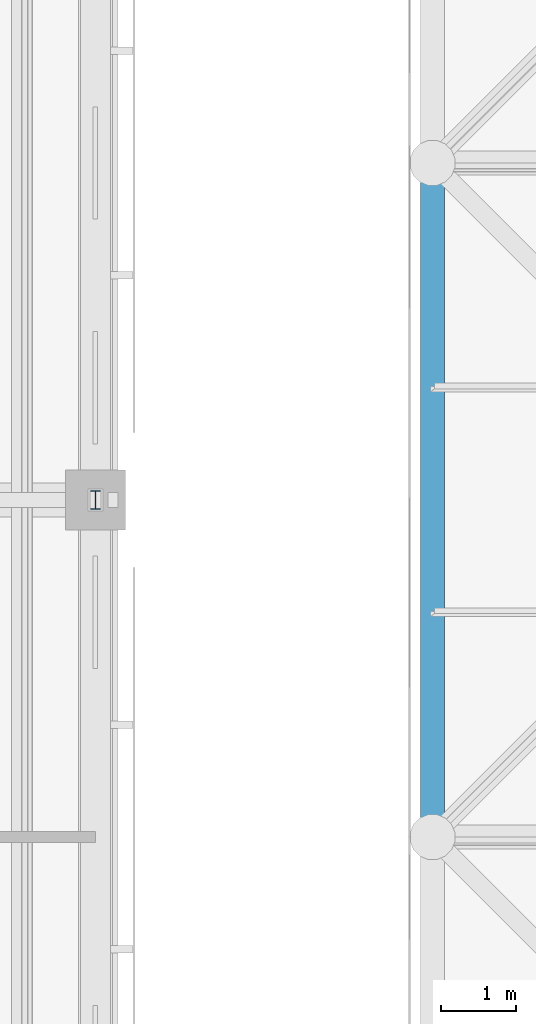
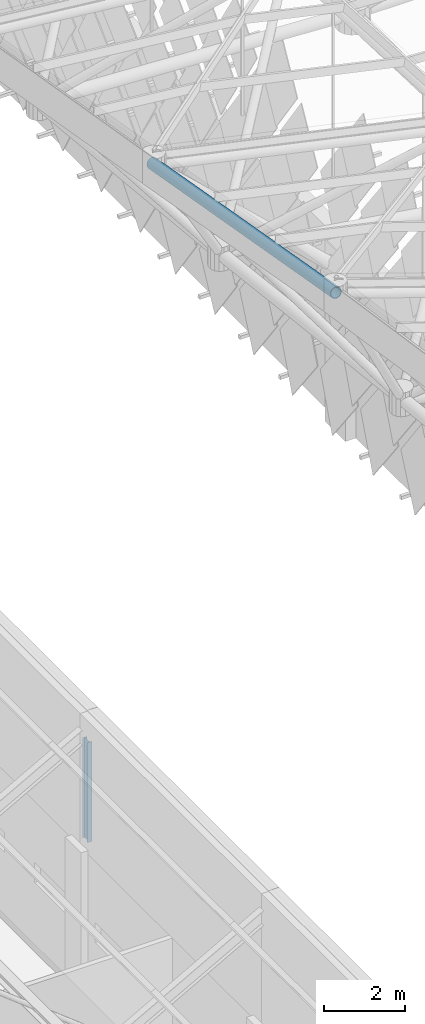
# One storey, part 50 of 437: 2 members.
"""IFC4 building model written with IfcOpenShell, lengths in metres."""

from ifc_helpers import new_model, si_unit, direction, frame, origin, origin_2d, place, context, subcontext, project, spatial, hollow_circle, i_section, extrude, material, material_profile, profile_set, type_object, element, save


model = new_model("IFC4")

# Units and contexts
model_context = context("Model", 3, precision=1e-05, world=origin(), true_north=direction((0.0, 1.0)))
body_context = subcontext(model_context, "Body", "Model", "MODEL_VIEW")
ifc_project = project(units=[si_unit("LENGTHUNIT", "METRE"), si_unit("AREAUNIT", "SQUARE_METRE"), si_unit("VOLUMEUNIT", "CUBIC_METRE"), si_unit("PLANEANGLEUNIT", "RADIAN"), si_unit("MASSUNIT", "GRAM", prefix="KILO")], contexts=[model_context])

# Site, building, storey
site_placement = place(None, origin())
site = spatial("IfcSite", under=ifc_project, at=site_placement, CompositionType="ELEMENT")
building_placement = place(site_placement, origin())
building = spatial("IfcBuilding", under=site, at=building_placement, Name="Opaline Strait Convention Centre", CompositionType="ELEMENT")
storey_placement = place(building_placement, frame((0.0, 0.0, 11.5)))
storey = spatial("IfcBuildingStorey", under=building, at=storey_placement, Name="L02", CompositionType="ELEMENT", Elevation=11.5)

# Members
ifc_material = material(Name="Steel Q355B", Category="steel")
ifc_material_profile_1 = material_profile(ifc_material, i_section(OverallWidth=0.125, OverallDepth=0.25, WebThickness=0.006103515625, FlangeThickness=0.009033203125, FilletRadius=0.008056640625, at=origin_2d()), Name="HN 250x125x6x9")
ifc_profile_set_1 = profile_set([ifc_material_profile_1], Name="Steel Q355B")
member_type_1 = type_object("IfcMemberType", Name="Roof post HN 250x125x6x9", PredefinedType="STRUT", material=ifc_profile_set_1)
member_1_placement = place(storey_placement, frame((81.0, 72.0, 4.68994140625), z_axis=(0.0, 0.0, 1.0), x_axis=(1.0, 0.0, 0.0)))
element("IfcMember", 1, at=member_1_placement, inside=storey, type_object=member_type_1, Name="RP1 roof post at 81/72", PredefinedType="STRUT", context=body_context, shape_type="SweptSolid", body=[
    extrude(i_section(OverallWidth=0.125, OverallDepth=0.25, WebThickness=0.006103515625, FlangeThickness=0.009033203125, FilletRadius=0.008056640625, at=origin_2d()), origin(), (0.0, 0.0, 1.0), 3.031005859375),
])
ifc_material_profile_2 = material_profile(ifc_material, hollow_circle(Radius=0.16259765625, WallThickness=0.02001953125, at=origin_2d()), Name="CHS 325x20")
ifc_profile_set_2 = profile_set([ifc_material_profile_2], Name="Steel Q355B")
member_type_2 = type_object("IfcMemberType", Name="Space frame top chord CHS 325x20", PredefinedType="CHORD", material=ifc_profile_set_2)
member_2_placement = place(storey_placement, frame((85.5, 67.45068359375, 22.43212890625), z_axis=(0.0, 0.984849995483, -0.17340843808), x_axis=(-1.0, 0.0, 0.0)))
element("IfcMember", 2, at=member_2_placement, inside=storey, type_object=member_type_2, Name="EXB-RF-TY-0-3", PredefinedType="CHORD", context=body_context, shape_type="SweptSolid", body=[
    extrude(hollow_circle(Radius=0.16259765625, WallThickness=0.02001953125, at=origin_2d()), origin(), (0.0, 0.0, 1.0), 9.238525390625),
])

save(model, "model.ifc")
